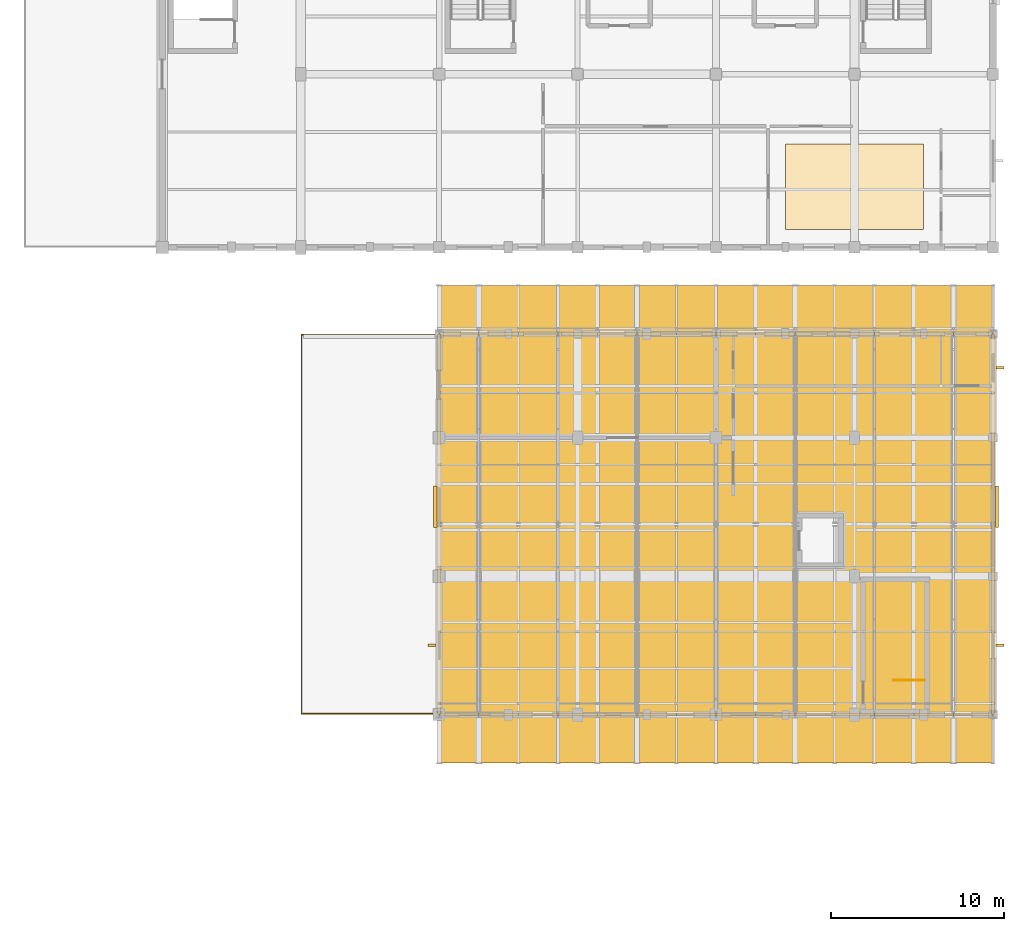
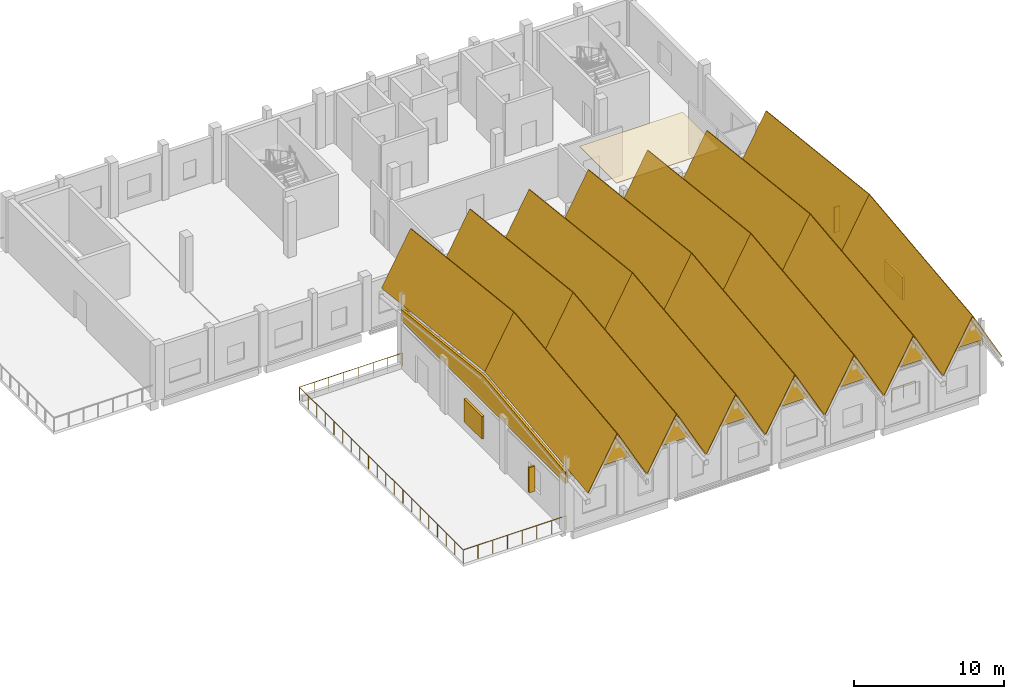
# One storey, part 47 of 48: 33 coverings, 5 shading devices, 2 railings.
"""IFC4 building model written with IfcOpenShell, lengths in metres."""

from ifc_helpers import new_model, si_unit, direction, frame, origin, origin_2d, place, context, subcontext, project, spatial, polyline, rectangle, circle, outline, extrude, material, layer, layer_set, type_object, element, save


model = new_model("IFC4")

# Units and contexts
model_context = context("Model", 3, precision=1e-05, world=origin(), true_north=direction((0.0, 1.0)))
body_context = subcontext(model_context, "Body", "Model", "MODEL_VIEW")
ifc_project = project(units=[si_unit("LENGTHUNIT", "METRE"), si_unit("AREAUNIT", "SQUARE_METRE"), si_unit("VOLUMEUNIT", "CUBIC_METRE"), si_unit("PLANEANGLEUNIT", "RADIAN"), si_unit("MASSUNIT", "GRAM", prefix="KILO")], contexts=[model_context])

# Site, building, storey
site_placement = place(None, origin())
site = spatial("IfcSite", under=ifc_project, at=site_placement, CompositionType="ELEMENT")
building_placement = place(site_placement, origin())
building = spatial("IfcBuilding", under=site, at=building_placement, Name="Luwemba Playhouse", CompositionType="ELEMENT")
storey_placement = place(building_placement, frame((0.0, 0.0, 13.800048828125)))
storey = spatial("IfcBuildingStorey", under=building, at=storey_placement, Name="L03", CompositionType="ELEMENT", Elevation=13.800048828125)

# Coverings
ifc_material_1 = material(Name="Perforated acoustic gypsum and timber baffle ceiling", Category="wood")
ifc_layer_1 = layer(ifc_material_1, 0.044921875)
ifc_layer_set_1 = layer_set([ifc_layer_1], Name="Perforated acoustic gypsum and timber baffle ceiling")
covering_type_1 = type_object("IfcCoveringType", Name="COV-CEIL-AC", PredefinedType="CEILING", material=ifc_layer_set_1)
covering_1_placement = place(storey_placement, frame((0.0, 0.0, 4.224853515625)))
element("IfcCovering", 1, at=covering_1_placement, inside=storey, type_object=covering_type_1, Name="L03 Dramaturgy Seminar Room acoustic ceiling cloud", PredefinedType="CEILING", context=body_context, shape_type="SweptSolid", body=[
    extrude(outline(polyline([(160.02001953125, 96.02001953125), (167.97998046875, 96.02001953125), (167.97998046875, 100.97998046875), (160.02001953125, 100.97998046875), (160.02001953125, 96.02001953125)])), origin(), (0.0, 0.0, 1.0), 0.045166015625),
])
ifc_material_2 = material(Name="Glazed terracotta clay roof tile", Category="masonry")
ifc_layer_2 = layer(ifc_material_2, 0.06494140625)
ifc_layer_set_2 = layer_set([ifc_layer_2], Name="Glazed terracotta clay roof tile")
covering_type_2 = type_object("IfcCoveringType", Name="COV-ROOF-TILE", PredefinedType="ROOFING", material=ifc_layer_set_2)
covering_2_placement = place(storey_placement, frame((140.02490234375, 65.199951171875, 4.657470703125), z_axis=(-0.875431261018, -0.053875215434, 0.480330686502), x_axis=(0.481029296914, 0.0, 0.876704520069)))
element("IfcCovering", 2, at=covering_2_placement, inside=storey, type_object=covering_type_2, Name="RF-V4 glazed clay-tile roofing 1S", PredefinedType="ROOFING", context=body_context, shape_type="SweptSolid", body=[
    extrude(outline(polyline([(0.0, 0.0), (4.648032579496992, -1.3877787807814457e-17), (6.005041040737277, 13.820120120834341), (1.357008461240285, 13.820120120834341), (0.0, 0.0)])), origin(), (0.0, 0.0, -1.0), 0.06494140625),
])
covering_3_placement = place(storey_placement, frame((140.02490234375, 79.0, 6.205322265625), z_axis=(-0.875431261018, 0.053875215434, 0.480330686502), x_axis=(0.481029296914, 0.0, 0.876704520069)))
element("IfcCovering", 3, at=covering_3_placement, inside=storey, type_object=covering_type_2, Name="RF-V4 glazed clay-tile roofing 1N", PredefinedType="ROOFING", context=body_context, shape_type="SweptSolid", body=[
    extrude(outline(polyline([(0.0, 0.0), (4.648032579496992, 1.3877787807814457e-17), (3.2910241182567077, 13.820120120834341), (-1.357008461240285, 13.820120120834341), (0.0, 0.0)])), origin(), (0.0, 0.0, -1.0), 0.06494140625),
])
covering_4_placement = place(storey_placement, frame((142.310791015625, 65.199951171875, 8.732666015625), z_axis=(0.875465843488, -0.053868233213, 0.480268435707), x_axis=(0.48096677414, 0.0, -0.876738822098)))
element("IfcCovering", 4, at=covering_4_placement, inside=storey, type_object=covering_type_2, Name="RF-V4 glazed clay-tile roofing 2S", PredefinedType="ROOFING", context=body_context, shape_type="SweptSolid", body=[
    extrude(outline(polyline([(0.0, 0.0), (4.648129191712827, 1.3877787807814457e-17), (3.2910676360245716, 13.820114907345774), (-1.3570615556882553, 13.820114907345774), (0.0, 0.0)])), origin(), (0.0, 0.0, -1.0), 0.06494140625),
])
covering_5_placement = place(storey_placement, frame((142.310791015625, 79.0, 10.280517578125), z_axis=(0.875465843488, 0.053868233213, 0.480268435707), x_axis=(0.48096677414, 0.0, -0.876738822098)))
element("IfcCovering", 5, at=covering_5_placement, inside=storey, type_object=covering_type_2, Name="RF-V4 glazed clay-tile roofing 2N", PredefinedType="ROOFING", context=body_context, shape_type="SweptSolid", body=[
    extrude(outline(polyline([(0.0, 0.0), (4.648129191712827, -1.3877787807814457e-17), (6.005190747401082, 13.820114907345774), (1.3570615556882553, 13.820114907345774), (0.0, 0.0)])), origin(), (0.0, 0.0, -1.0), 0.06494140625),
])
covering_6_placement = place(storey_placement, frame((144.596435546875, 65.199951171875, 4.657470703125), z_axis=(-0.875453592859, -0.053870706757, 0.480290488875), x_axis=(0.480988923652, 0.0, 0.876726670818)))
element("IfcCovering", 6, at=covering_6_placement, inside=storey, type_object=covering_type_2, Name="RF-V4 glazed clay-tile roofing 3S", PredefinedType="ROOFING", context=body_context, shape_type="SweptSolid", body=[
    extrude(outline(polyline([(0.0, 0.0), (4.647915145632115, 0.0), (6.004957892943311, 13.820116754215139), (1.3570427473111966, 13.820116754215139), (0.0, 0.0)])), origin(), (0.0, 0.0, -1.0), 0.06494140625),
])
covering_7_placement = place(storey_placement, frame((144.596435546875, 79.0, 6.205322265625), z_axis=(-0.875453592859, 0.053870706757, 0.480290488875), x_axis=(0.480988923652, 0.0, 0.876726670818)))
element("IfcCovering", 7, at=covering_7_placement, inside=storey, type_object=covering_type_2, Name="RF-V4 glazed clay-tile roofing 3N", PredefinedType="ROOFING", context=body_context, shape_type="SweptSolid", body=[
    extrude(outline(polyline([(0.0, 0.0), (4.647915145632115, 0.0), (3.2908723983209183, 13.820116754215139), (-1.3570427473111966, 13.820116754215139), (0.0, 0.0)])), origin(), (0.0, 0.0, -1.0), 0.06494140625),
])
covering_8_placement = place(storey_placement, frame((146.882080078125, 65.199951171875, 8.732666015625), z_axis=(0.875443513385, -0.053872741809, 0.480308632613), x_axis=(0.481007146662, 0.0, -0.876716673082)))
element("IfcCovering", 8, at=covering_8_placement, inside=storey, type_object=covering_type_2, Name="RF-V4 glazed clay-tile roofing 4S", PredefinedType="ROOFING", context=body_context, shape_type="SweptSolid", body=[
    extrude(outline(polyline([(0.0, 0.0), (4.648246620170018, 0.0), (3.291219347870279, 13.820118273748694), (-1.3570272722997392, 13.820118273748694), (0.0, 0.0)])), origin(), (0.0, 0.0, -1.0), 0.06494140625),
])
covering_9_placement = place(storey_placement, frame((146.882080078125, 79.0, 10.280517578125), z_axis=(0.875443513385, 0.053872741809, 0.480308632613), x_axis=(0.481007146662, 0.0, -0.876716673082)))
element("IfcCovering", 9, at=covering_9_placement, inside=storey, type_object=covering_type_2, Name="RF-V4 glazed clay-tile roofing 4N", PredefinedType="ROOFING", context=body_context, shape_type="SweptSolid", body=[
    extrude(outline(polyline([(0.0, 0.0), (4.648246620170018, 0.0), (6.0052738924697575, 13.820118273748696), (1.3570272722997392, 13.820118273748694), (0.0, 0.0)])), origin(), (0.0, 0.0, -1.0), 0.06494140625),
])
covering_10_placement = place(storey_placement, frame((149.16796875, 65.199951171875, 4.657470703125), z_axis=(-0.875465843488, -0.053868233213, 0.480268435707), x_axis=(0.48096677414, 0.0, 0.876738822098)))
element("IfcCovering", 10, at=covering_10_placement, inside=storey, type_object=covering_type_2, Name="RF-V4 glazed clay-tile roofing 5S", PredefinedType="ROOFING", context=body_context, shape_type="SweptSolid", body=[
    extrude(outline(polyline([(0.0, 0.0), (4.648129191712827, -1.3877787807814457e-17), (6.005190747401082, 13.820114907345774), (1.3570615556882553, 13.820114907345774), (0.0, 0.0)])), origin(), (0.0, 0.0, -1.0), 0.06494140625),
])
covering_11_placement = place(storey_placement, frame((149.16796875, 79.0, 6.205322265625), z_axis=(-0.875465843488, 0.053868233213, 0.480268435707), x_axis=(0.48096677414, 0.0, 0.876738822098)))
element("IfcCovering", 11, at=covering_11_placement, inside=storey, type_object=covering_type_2, Name="RF-V4 glazed clay-tile roofing 5N", PredefinedType="ROOFING", context=body_context, shape_type="SweptSolid", body=[
    extrude(outline(polyline([(0.0, 0.0), (4.648129191712827, 1.3877787807814457e-17), (3.2910676360245716, 13.820114907345774), (-1.3570615556882553, 13.820114907345774), (0.0, 0.0)])), origin(), (0.0, 0.0, -1.0), 0.06494140625),
])
covering_12_placement = place(storey_placement, frame((151.45361328125, 65.199951171875, 8.732421875), z_axis=(0.875453592859, -0.053870706757, 0.480290488875), x_axis=(0.480988923652, 0.0, -0.876726670818)))
element("IfcCovering", 12, at=covering_12_placement, inside=storey, type_object=covering_type_2, Name="RF-V4 glazed clay-tile roofing 6S", PredefinedType="ROOFING", context=body_context, shape_type="SweptSolid", body=[
    extrude(outline(polyline([(0.0, 0.0), (4.647915145632115, 0.0), (3.2908723983209183, 13.820116754215139), (-1.3570427473111966, 13.820116754215139), (0.0, 0.0)])), origin(), (0.0, 0.0, -1.0), 0.06494140625),
])
covering_13_placement = place(storey_placement, frame((151.45361328125, 79.0, 10.2802734375), z_axis=(0.875453592859, 0.053870706757, 0.480290488875), x_axis=(0.480988923652, 0.0, -0.876726670818)))
element("IfcCovering", 13, at=covering_13_placement, inside=storey, type_object=covering_type_2, Name="RF-V4 glazed clay-tile roofing 6N", PredefinedType="ROOFING", context=body_context, shape_type="SweptSolid", body=[
    extrude(outline(polyline([(0.0, 0.0), (4.647915145632115, 0.0), (6.004957892943311, 13.820116754215139), (1.3570427473111966, 13.820116754215139), (0.0, 0.0)])), origin(), (0.0, 0.0, -1.0), 0.06494140625),
])
covering_14_placement = place(storey_placement, frame((153.7392578125, 65.199951171875, 4.657470703125), z_axis=(-0.875431261018, -0.053875215434, 0.480330686502), x_axis=(0.481029296914, 0.0, 0.876704520069)))
element("IfcCovering", 14, at=covering_14_placement, inside=storey, type_object=covering_type_2, Name="RF-V4 glazed clay-tile roofing 7S", PredefinedType="ROOFING", context=body_context, shape_type="SweptSolid", body=[
    extrude(outline(polyline([(0.0, 0.0), (4.648032579496992, -1.3877787807814457e-17), (6.005041040737277, 13.820120120834341), (1.357008461240285, 13.820120120834341), (0.0, 0.0)])), origin(), (0.0, 0.0, -1.0), 0.06494140625),
])
for number, where, z_axis, x_axis, name in (
    (15, (153.7392578125, 79.0, 6.205322265625), (-0.875431261018, 0.053875215434, 0.480330686502), (0.481029296914, 0.0, 0.876704520069), "RF-V4 glazed clay-tile roofing 7N"),
    (16, (156.02490234375, 65.199951171875, 8.732421875), (0.875431261018, -0.053875215434, 0.480330686502), (0.481029296914, 0.0, -0.876704520069), "RF-V4 glazed clay-tile roofing 8S"),
):
    element("IfcCovering", number, at=place(storey_placement, frame(where, z_axis=z_axis, x_axis=x_axis)), inside=storey, type_object=covering_type_2, Name=name, PredefinedType="ROOFING", context=body_context, shape_type="SweptSolid", body=[
        extrude(outline(polyline([(0.0, 0.0), (4.648032579496992, 1.3877787807814457e-17), (3.2910241182567077, 13.820120120834341), (-1.357008461240285, 13.820120120834341), (0.0, 0.0)])), origin(), (0.0, 0.0, -1.0), 0.06494140625),
    ])
covering_15_placement = place(storey_placement, frame((156.02490234375, 79.0, 10.2802734375), z_axis=(0.875431261018, 0.053875215434, 0.480330686502), x_axis=(0.481029296914, 0.0, -0.876704520069)))
element("IfcCovering", 17, at=covering_15_placement, inside=storey, type_object=covering_type_2, Name="RF-V4 glazed clay-tile roofing 8N", PredefinedType="ROOFING", context=body_context, shape_type="SweptSolid", body=[
    extrude(outline(polyline([(0.0, 0.0), (4.648032579496992, -1.3877787807814457e-17), (6.005041040737277, 13.820120120834341), (1.357008461240285, 13.820120120834341), (0.0, 0.0)])), origin(), (0.0, 0.0, -1.0), 0.06494140625),
])
covering_16_placement = place(storey_placement, frame((158.310791015625, 65.199951171875, 4.657470703125), z_axis=(-0.875453592859, -0.053870706757, 0.480290488875), x_axis=(0.480988923652, 0.0, 0.876726670818)))
element("IfcCovering", 18, at=covering_16_placement, inside=storey, type_object=covering_type_2, Name="RF-V4 glazed clay-tile roofing 9S", PredefinedType="ROOFING", context=body_context, shape_type="SweptSolid", body=[
    extrude(outline(polyline([(0.0, 0.0), (4.647915145632115, 0.0), (6.004957892943311, 13.820116754215139), (1.3570427473111966, 13.820116754215139), (0.0, 0.0)])), origin(), (0.0, 0.0, -1.0), 0.06494140625),
])
covering_17_placement = place(storey_placement, frame((158.310791015625, 79.0, 6.205322265625), z_axis=(-0.875453592859, 0.053870706757, 0.480290488875), x_axis=(0.480988923652, 0.0, 0.876726670818)))
element("IfcCovering", 19, at=covering_17_placement, inside=storey, type_object=covering_type_2, Name="RF-V4 glazed clay-tile roofing 9N", PredefinedType="ROOFING", context=body_context, shape_type="SweptSolid", body=[
    extrude(outline(polyline([(0.0, 0.0), (4.647915145632115, 0.0), (3.2908723983209183, 13.820116754215139), (-1.3570427473111966, 13.820116754215139), (0.0, 0.0)])), origin(), (0.0, 0.0, -1.0), 0.06494140625),
])
covering_18_placement = place(storey_placement, frame((160.596435546875, 65.199951171875, 8.732666015625), z_axis=(0.875465843488, -0.053868233213, 0.480268435707), x_axis=(0.48096677414, 0.0, -0.876738822098)))
element("IfcCovering", 20, at=covering_18_placement, inside=storey, type_object=covering_type_2, Name="RF-V4 glazed clay-tile roofing 10S", PredefinedType="ROOFING", context=body_context, shape_type="SweptSolid", body=[
    extrude(outline(polyline([(0.0, 0.0), (4.648129191712827, 1.3877787807814457e-17), (3.2910676360245716, 13.820114907345774), (-1.3570615556882553, 13.820114907345774), (0.0, 0.0)])), origin(), (0.0, 0.0, -1.0), 0.06494140625),
])
covering_19_placement = place(storey_placement, frame((160.596435546875, 79.0, 10.280517578125), z_axis=(0.875465843488, 0.053868233213, 0.480268435707), x_axis=(0.48096677414, 0.0, -0.876738822098)))
element("IfcCovering", 21, at=covering_19_placement, inside=storey, type_object=covering_type_2, Name="RF-V4 glazed clay-tile roofing 10N", PredefinedType="ROOFING", context=body_context, shape_type="SweptSolid", body=[
    extrude(outline(polyline([(0.0, 0.0), (4.648129191712827, -1.3877787807814457e-17), (6.005190747401082, 13.820114907345774), (1.3570615556882553, 13.820114907345774), (0.0, 0.0)])), origin(), (0.0, 0.0, -1.0), 0.06494140625),
])
covering_20_placement = place(storey_placement, frame((162.882080078125, 65.199951171875, 4.657470703125), z_axis=(-0.875443513385, -0.053872741809, 0.480308632613), x_axis=(0.481007146662, 0.0, 0.876716673082)))
element("IfcCovering", 22, at=covering_20_placement, inside=storey, type_object=covering_type_2, Name="RF-V4 glazed clay-tile roofing 11S", PredefinedType="ROOFING", context=body_context, shape_type="SweptSolid", body=[
    extrude(outline(polyline([(0.0, 0.0), (4.648246620170018, 0.0), (6.0052738924697575, 13.820118273748696), (1.3570272722997392, 13.820118273748694), (0.0, 0.0)])), origin(), (0.0, 0.0, -1.0), 0.06494140625),
])
covering_21_placement = place(storey_placement, frame((162.882080078125, 79.0, 6.205322265625), z_axis=(-0.875443513385, 0.053872741809, 0.480308632613), x_axis=(0.481007146662, 0.0, 0.876716673082)))
element("IfcCovering", 23, at=covering_21_placement, inside=storey, type_object=covering_type_2, Name="RF-V4 glazed clay-tile roofing 11N", PredefinedType="ROOFING", context=body_context, shape_type="SweptSolid", body=[
    extrude(outline(polyline([(0.0, 0.0), (4.648246620170018, 0.0), (3.291219347870279, 13.820118273748694), (-1.3570272722997392, 13.820118273748694), (0.0, 0.0)])), origin(), (0.0, 0.0, -1.0), 0.06494140625),
])
covering_22_placement = place(storey_placement, frame((165.16796875, 65.199951171875, 8.732421875), z_axis=(0.875453592859, -0.053870706757, 0.480290488875), x_axis=(0.480988923652, 0.0, -0.876726670818)))
element("IfcCovering", 24, at=covering_22_placement, inside=storey, type_object=covering_type_2, Name="RF-V4 glazed clay-tile roofing 12S", PredefinedType="ROOFING", context=body_context, shape_type="SweptSolid", body=[
    extrude(outline(polyline([(0.0, 0.0), (4.647915145632115, 0.0), (3.2908723983209183, 13.820116754215139), (-1.3570427473111966, 13.820116754215139), (0.0, 0.0)])), origin(), (0.0, 0.0, -1.0), 0.06494140625),
])
covering_23_placement = place(storey_placement, frame((165.16796875, 79.0, 10.2802734375), z_axis=(0.875453592859, 0.053870706757, 0.480290488875), x_axis=(0.480988923652, 0.0, -0.876726670818)))
element("IfcCovering", 25, at=covering_23_placement, inside=storey, type_object=covering_type_2, Name="RF-V4 glazed clay-tile roofing 12N", PredefinedType="ROOFING", context=body_context, shape_type="SweptSolid", body=[
    extrude(outline(polyline([(0.0, 0.0), (4.647915145632115, 0.0), (6.004957892943311, 13.820116754215139), (1.3570427473111966, 13.820116754215139), (0.0, 0.0)])), origin(), (0.0, 0.0, -1.0), 0.06494140625),
])
covering_24_placement = place(storey_placement, frame((167.45361328125, 65.199951171875, 4.657470703125), z_axis=(-0.875465843488, -0.053868233213, 0.480268435707), x_axis=(0.48096677414, 0.0, 0.876738822098)))
element("IfcCovering", 26, at=covering_24_placement, inside=storey, type_object=covering_type_2, Name="RF-V4 glazed clay-tile roofing 13S", PredefinedType="ROOFING", context=body_context, shape_type="SweptSolid", body=[
    extrude(outline(polyline([(0.0, 0.0), (4.648129191712827, -1.3877787807814457e-17), (6.005190747401082, 13.820114907345774), (1.3570615556882553, 13.820114907345774), (0.0, 0.0)])), origin(), (0.0, 0.0, -1.0), 0.06494140625),
])
covering_25_placement = place(storey_placement, frame((167.45361328125, 79.0, 6.205322265625), z_axis=(-0.875465843488, 0.053868233213, 0.480268435707), x_axis=(0.48096677414, 0.0, 0.876738822098)))
element("IfcCovering", 27, at=covering_25_placement, inside=storey, type_object=covering_type_2, Name="RF-V4 glazed clay-tile roofing 13N", PredefinedType="ROOFING", context=body_context, shape_type="SweptSolid", body=[
    extrude(outline(polyline([(0.0, 0.0), (4.648129191712827, 1.3877787807814457e-17), (3.2910676360245716, 13.820114907345774), (-1.3570615556882553, 13.820114907345774), (0.0, 0.0)])), origin(), (0.0, 0.0, -1.0), 0.06494140625),
])
covering_26_placement = place(storey_placement, frame((169.7392578125, 65.199951171875, 8.732421875), z_axis=(0.875431261018, -0.053875215434, 0.480330686502), x_axis=(0.481029296914, 0.0, -0.876704520069)))
element("IfcCovering", 28, at=covering_26_placement, inside=storey, type_object=covering_type_2, Name="RF-V4 glazed clay-tile roofing 14S", PredefinedType="ROOFING", context=body_context, shape_type="SweptSolid", body=[
    extrude(outline(polyline([(0.0, 0.0), (4.648032579496992, 1.3877787807814457e-17), (3.2910241182567077, 13.820120120834341), (-1.357008461240285, 13.820120120834341), (0.0, 0.0)])), origin(), (0.0, 0.0, -1.0), 0.06494140625),
])
covering_27_placement = place(storey_placement, frame((169.7392578125, 79.0, 10.2802734375), z_axis=(0.875431261018, 0.053875215434, 0.480330686502), x_axis=(0.481029296914, 0.0, -0.876704520069)))
element("IfcCovering", 29, at=covering_27_placement, inside=storey, type_object=covering_type_2, Name="RF-V4 glazed clay-tile roofing 14N", PredefinedType="ROOFING", context=body_context, shape_type="SweptSolid", body=[
    extrude(outline(polyline([(0.0, 0.0), (4.648032579496992, -1.3877787807814457e-17), (6.005041040737277, 13.820120120834341), (1.357008461240285, 13.820120120834341), (0.0, 0.0)])), origin(), (0.0, 0.0, -1.0), 0.06494140625),
])
ifc_material_3 = material(Name="Structural timber GL24h gable wall infill", Category="wood")
ifc_layer_3 = layer(ifc_material_3, 0.179931640625)
ifc_layer_set_3 = layer_set([ifc_layer_3], Name="Structural timber GL24h gable wall infill")
covering_type_3 = type_object("IfcCoveringType", Name="COV-TIM-TYMP", PredefinedType="CLADDING", material=ifc_layer_set_3)
covering_28_placement = place(storey_placement, frame((172.0, 68.0, 4.320068359375), z_axis=(0.0, 0.0, 1.0), x_axis=(-1.0, 0.0, 0.0)))
element("IfcCovering", 30, at=covering_28_placement, inside=storey, type_object=covering_type_3, Name="RF-V4 south pleated timber fold wall 016", PredefinedType="CLADDING", context=body_context, shape_type="SweptSolid", body=[
    extrude(outline(polyline([(0.0, 0.0), (32.0, 0.0), (32.0, 0.35498046875), (29.71435546875, 4.52099609375), (27.4287109375, 0.354736328125), (25.142822265625, 4.521240234375), (22.857177734375, 0.35498046875), (20.5712890625, 4.52099609375), (18.28564453125, 0.35498046875), (16.0, 4.52099609375), (13.71435546875, 0.35498046875), (11.4287109375, 4.521240234375), (9.142822265625, 0.354736328125), (6.857177734375, 4.52099609375), (4.5712890625, 0.35498046875), (2.28564453125, 4.52099609375), (0.0, 0.35498046875), (0.0, 0.0)])), frame((0.0, 0.08984375, 0.0), z_axis=(0.0, -1.0, 0.0), x_axis=(1.0, 0.0, 0.0)), (0.0, 0.0, 1.0), 0.179931640625),
])
covering_29_placement = place(storey_placement, frame((140.0, 90.0, 4.320068359375), z_axis=(0.0, 0.0, 1.0), x_axis=(1.0, 0.0, 0.0)))
element("IfcCovering", 31, at=covering_29_placement, inside=storey, type_object=covering_type_3, Name="RF-V4 north pleated timber fold wall 017", PredefinedType="CLADDING", context=body_context, shape_type="SweptSolid", body=[
    extrude(outline(polyline([(0.0, 0.0), (32.0, 0.0), (32.0, 0.35498046875), (29.71435546875, 4.52099609375), (27.4287109375, 0.35498046875), (25.142822265625, 4.52099609375), (22.857177734375, 0.354736328125), (20.5712890625, 4.521240234375), (18.28564453125, 0.35498046875), (16.0, 4.52099609375), (13.71435546875, 0.35498046875), (11.4287109375, 4.52099609375), (9.142822265625, 0.35498046875), (6.857177734375, 4.521240234375), (4.5712890625, 0.354736328125), (2.28564453125, 4.52099609375), (0.0, 0.35498046875), (0.0, 0.0)])), frame((0.0, 0.08984375, 0.0), z_axis=(0.0, -1.0, 0.0), x_axis=(1.0, 0.0, 0.0)), (0.0, 0.0, 1.0), 0.179931640625),
])
for number, where, z_axis, x_axis, name in (
    (32, (140.0, 68.0, 3.780029296875), (0.0, 0.0, 1.0), (0.0, 1.0, 0.0), "RF-V4 west timber gable infill 018"),
    (33, (172.0, 90.0, 3.780029296875), (0.0, 0.0, 1.0), (0.0, -1.0, 0.0), "RF-V4 east timber gable infill 019"),
):
    element("IfcCovering", number, at=place(storey_placement, frame(where, z_axis=z_axis, x_axis=x_axis)), inside=storey, type_object=covering_type_3, Name=name, PredefinedType="CLADDING", context=body_context, shape_type="SweptSolid", body=[
        extrude(outline(polyline([(0.0, 0.0), (22.0, 0.0), (22.0, 0.89501953125), (11.0, 2.128662109375), (0.0, 0.89501953125), (0.0, 0.0)])), frame((0.0, 0.08984375, 0.0), z_axis=(0.0, -1.0, 0.0), x_axis=(1.0, 0.0, 0.0)), (0.0, 0.0, 1.0), 0.179931640625),
    ])

# Railings
ifc_material_4 = material(Name="Painted wrought-iron balustrade", Category="steel")
railing_type_1 = type_object("IfcRailingType", Name="RLG-BAL-EXT", PredefinedType="BALUSTRADE", material=ifc_material_4)
railing_1_placement = place(storey_placement, frame((140.0, 68.050048828125, 0.0)))
element("IfcRailing", 34, at=railing_1_placement, inside=storey, type_object=railing_type_1, Name="L03 Experimental Terrace perimeter guard", PredefinedType="BALUSTRADE", context=body_context, shape_type="SweptSolid", body=[
    extrude(circle(Radius=0.02392578125, at=origin_2d()), frame((0.0, 0.0, 1.09619140625), z_axis=(-1.0, 0.0, 0.0), x_axis=(0.0, -1.0, 0.0)), (0.0, 0.0, 1.0), 7.949951171875),
    extrude(circle(Radius=0.02392578125, at=origin_2d()), frame((-7.949951171875, 0.0, 1.09619140625), z_axis=(0.0, 1.0, 0.0), x_axis=(-1.0, 0.0, 0.0)), (0.0, 0.0, 1.0), 21.89990234375),
    extrude(circle(Radius=0.02392578125, at=origin_2d()), frame((-7.949951171875, 21.89990234375, 1.09619140625), z_axis=(1.0, 0.0, 0.0), x_axis=(0.0, 1.0, 0.0)), (0.0, 0.0, 1.0), 7.949951171875),
    extrude(circle(Radius=0.02099609375, at=origin_2d()), origin(), (0.0, 0.0, 1.0), 1.072021484375),
    extrude(circle(Radius=0.02099609375, at=origin_2d()), frame((-1.1357421875, 0.0, 0.0)), (0.0, 0.0, 1.0), 1.072021484375),
    extrude(circle(Radius=0.02099609375, at=origin_2d()), frame((-2.271484375, 0.0, 0.0)), (0.0, 0.0, 1.0), 1.072021484375),
    extrude(circle(Radius=0.02099609375, at=origin_2d()), frame((-3.4072265625, 0.0, 0.0)), (0.0, 0.0, 1.0), 1.072021484375),
    extrude(circle(Radius=0.02099609375, at=origin_2d()), frame((-4.542724609375, 0.0, 0.0)), (0.0, 0.0, 1.0), 1.072021484375),
    extrude(circle(Radius=0.02099609375, at=origin_2d()), frame((-5.678466796875, 0.0, 0.0)), (0.0, 0.0, 1.0), 1.072021484375),
    extrude(circle(Radius=0.02099609375, at=origin_2d()), frame((-6.814208984375, 0.0, 0.0)), (0.0, 0.0, 1.0), 1.072021484375),
    extrude(circle(Radius=0.02099609375, at=origin_2d()), frame((-7.949951171875, 0.0, 0.0)), (0.0, 0.0, 1.0), 1.072021484375),
    extrude(circle(Radius=0.02099609375, at=origin_2d()), frame((-7.949951171875, 1.152587890625, 0.0)), (0.0, 0.0, 1.0), 1.072021484375),
    extrude(circle(Radius=0.02099609375, at=origin_2d()), frame((-7.949951171875, 2.30517578125, 0.0)), (0.0, 0.0, 1.0), 1.072021484375),
    extrude(circle(Radius=0.02099609375, at=origin_2d()), frame((-7.949951171875, 3.457763671875, 0.0)), (0.0, 0.0, 1.0), 1.072021484375),
    extrude(circle(Radius=0.02099609375, at=origin_2d()), frame((-7.949951171875, 4.610595703125, 0.0)), (0.0, 0.0, 1.0), 1.072021484375),
    extrude(circle(Radius=0.02099609375, at=origin_2d()), frame((-7.949951171875, 5.76318359375, 0.0)), (0.0, 0.0, 1.0), 1.072021484375),
    extrude(circle(Radius=0.02099609375, at=origin_2d()), frame((-7.949951171875, 6.915771484375, 0.0)), (0.0, 0.0, 1.0), 1.072021484375),
    extrude(circle(Radius=0.02099609375, at=origin_2d()), frame((-7.949951171875, 8.068359375, 0.0)), (0.0, 0.0, 1.0), 1.072021484375),
    extrude(circle(Radius=0.02099609375, at=origin_2d()), frame((-7.949951171875, 9.220947265625, 0.0)), (0.0, 0.0, 1.0), 1.072021484375),
    extrude(circle(Radius=0.02099609375, at=origin_2d()), frame((-7.949951171875, 10.37353515625, 0.0)), (0.0, 0.0, 1.0), 1.072021484375),
    extrude(circle(Radius=0.02099609375, at=origin_2d()), frame((-7.949951171875, 11.5263671875, 0.0)), (0.0, 0.0, 1.0), 1.072021484375),
    extrude(circle(Radius=0.02099609375, at=origin_2d()), frame((-7.949951171875, 12.678955078125, 0.0)), (0.0, 0.0, 1.0), 1.072021484375),
    extrude(circle(Radius=0.02099609375, at=origin_2d()), frame((-7.949951171875, 13.83154296875, 0.0)), (0.0, 0.0, 1.0), 1.072021484375),
    extrude(circle(Radius=0.02099609375, at=origin_2d()), frame((-7.949951171875, 14.984130859375, 0.0)), (0.0, 0.0, 1.0), 1.072021484375),
    extrude(circle(Radius=0.02099609375, at=origin_2d()), frame((-7.949951171875, 16.13671875, 0.0)), (0.0, 0.0, 1.0), 1.072021484375),
    extrude(circle(Radius=0.02099609375, at=origin_2d()), frame((-7.949951171875, 17.289306640625, 0.0)), (0.0, 0.0, 1.0), 1.072021484375),
    extrude(circle(Radius=0.02099609375, at=origin_2d()), frame((-7.949951171875, 18.442138671875, 0.0)), (0.0, 0.0, 1.0), 1.072021484375),
    extrude(circle(Radius=0.02099609375, at=origin_2d()), frame((-7.949951171875, 19.5947265625, 0.0)), (0.0, 0.0, 1.0), 1.072021484375),
    extrude(circle(Radius=0.02099609375, at=origin_2d()), frame((-7.949951171875, 20.747314453125, 0.0)), (0.0, 0.0, 1.0), 1.072021484375),
    extrude(circle(Radius=0.02099609375, at=origin_2d()), frame((-7.949951171875, 21.89990234375, 0.0)), (0.0, 0.0, 1.0), 1.072021484375),
    extrude(circle(Radius=0.02099609375, at=origin_2d()), frame((-6.814208984375, 21.89990234375, 0.0)), (0.0, 0.0, 1.0), 1.072021484375),
    extrude(circle(Radius=0.02099609375, at=origin_2d()), frame((-5.678466796875, 21.89990234375, 0.0)), (0.0, 0.0, 1.0), 1.072021484375),
    extrude(circle(Radius=0.02099609375, at=origin_2d()), frame((-4.542724609375, 21.89990234375, 0.0)), (0.0, 0.0, 1.0), 1.072021484375),
    extrude(circle(Radius=0.02099609375, at=origin_2d()), frame((-3.4072265625, 21.89990234375, 0.0)), (0.0, 0.0, 1.0), 1.072021484375),
    extrude(circle(Radius=0.02099609375, at=origin_2d()), frame((-2.271484375, 21.89990234375, 0.0)), (0.0, 0.0, 1.0), 1.072021484375),
    extrude(circle(Radius=0.02099609375, at=origin_2d()), frame((-1.1357421875, 21.89990234375, 0.0)), (0.0, 0.0, 1.0), 1.072021484375),
    extrude(circle(Radius=0.02099609375, at=origin_2d()), frame((0.0, 21.89990234375, 0.0)), (0.0, 0.0, 1.0), 1.072021484375),
])
ifc_material_5 = material(Name="Painted wrought-iron gallery balustrade", Category="steel")
railing_type_2 = type_object("IfcRailingType", Name="RLG-BAL-INT", PredefinedType="BALUSTRADE", material=ifc_material_5)
railing_2_placement = place(storey_placement, frame((168.050048828125, 69.989990234375, 0.0)))
element("IfcRailing", 35, at=railing_2_placement, inside=storey, type_object=railing_type_2, Name="L03 ST-07 top well guard 1", PredefinedType="BALUSTRADE", context=body_context, shape_type="SweptSolid", body=[
    extrude(circle(Radius=0.02392578125, at=origin_2d()), frame((0.0, 0.0, 1.09619140625), z_axis=(-1.0, 0.0, 0.0), x_axis=(0.0, -1.0, 0.0)), (0.0, 0.0, 1.0), 1.800048828125),
    extrude(circle(Radius=0.02099609375, at=origin_2d()), origin(), (0.0, 0.0, 1.0), 1.072021484375),
    extrude(circle(Radius=0.02099609375, at=origin_2d()), frame((-0.89990234375, 0.0, 0.0)), (0.0, 0.0, 1.0), 1.072021484375),
    extrude(circle(Radius=0.02099609375, at=origin_2d()), frame((-1.800048828125, 0.0, 0.0)), (0.0, 0.0, 1.0), 1.072021484375),
])

# Shading devices
ifc_material_6 = material(Name="Extruded terracotta brise-soleil fin on steel bracket", Category="masonry")
shading_device_type_1 = type_object("IfcShadingDeviceType", Name="SHD-BRISE", PredefinedType="USERDEFINED", material=ifc_material_6)
for number, where, z_axis, x_axis, name in (
    (36, (139.590087890625, 72.0, 0.82470703125), (0.0, 0.0, 1.0), (0.0, 1.0, 0.0), "L03 terracotta brise-soleil fin 073"),
    (37, (172.409912109375, 88.0400390625, 0.82470703125), (0.0, 0.0, 1.0), (0.0, -1.0, 0.0), "L03 terracotta brise-soleil fin 075"),
):
    element("IfcShadingDevice", number, at=place(storey_placement, frame(where, z_axis=z_axis, x_axis=x_axis)), inside=storey, type_object=shading_device_type_1, Name=name, ObjectType="TERRACOTTA BRISE SOLEIL", PredefinedType="USERDEFINED", context=body_context, shape_type="SweptSolid", body=[
        extrude(rectangle(XDim=0.139892578125, YDim=0.449951171875, at=origin_2d()), origin(), (0.0, 0.0, 1.0), 2.050048828125),
    ])
shading_device_placement = place(storey_placement, frame((172.409912109375, 72.0, 0.824951171875), z_axis=(0.0, 0.0, 1.0), x_axis=(0.0, -1.0, 0.0)))
element("IfcShadingDevice", 38, at=shading_device_placement, inside=storey, type_object=shading_device_type_1, Name="L03 terracotta brise-soleil fin 077", ObjectType="TERRACOTTA BRISE SOLEIL", PredefinedType="USERDEFINED", context=body_context, shape_type="SweptSolid", body=[
    extrude(rectangle(XDim=0.139892578125, YDim=0.449951171875, at=origin_2d()), origin(), (0.0, 0.0, 1.0), 1.75),
])
ifc_material_7 = material(Name="Kiln-fired terracotta gelosia louvre screen", Category="masonry")
shading_device_type_2 = type_object("IfcShadingDeviceType", Name="SHD-GELOSIA", PredefinedType="JALOUSIE", material=ifc_material_7)
for number, where, z_axis, x_axis, name in (
    (39, (139.77490234375, 80.0, 0.9248046875), (0.0, 0.0, 1.0), (0.0, 1.0, 0.0), "L03 fired-clay gelosia screen 074"),
    (40, (172.22509765625, 80.0, 0.9248046875), (0.0, 0.0, 1.0), (0.0, -1.0, 0.0), "L03 fired-clay gelosia screen 076"),
):
    element("IfcShadingDevice", number, at=place(storey_placement, frame(where, z_axis=z_axis, x_axis=x_axis)), inside=storey, type_object=shading_device_type_2, Name=name, PredefinedType="JALOUSIE", context=body_context, shape_type="SweptSolid", body=[
        extrude(rectangle(XDim=2.39990234375, YDim=0.179931640625, at=origin_2d()), origin(), (0.0, 0.0, 1.0), 1.85009765625),
    ])

save(model, "model.ifc")
